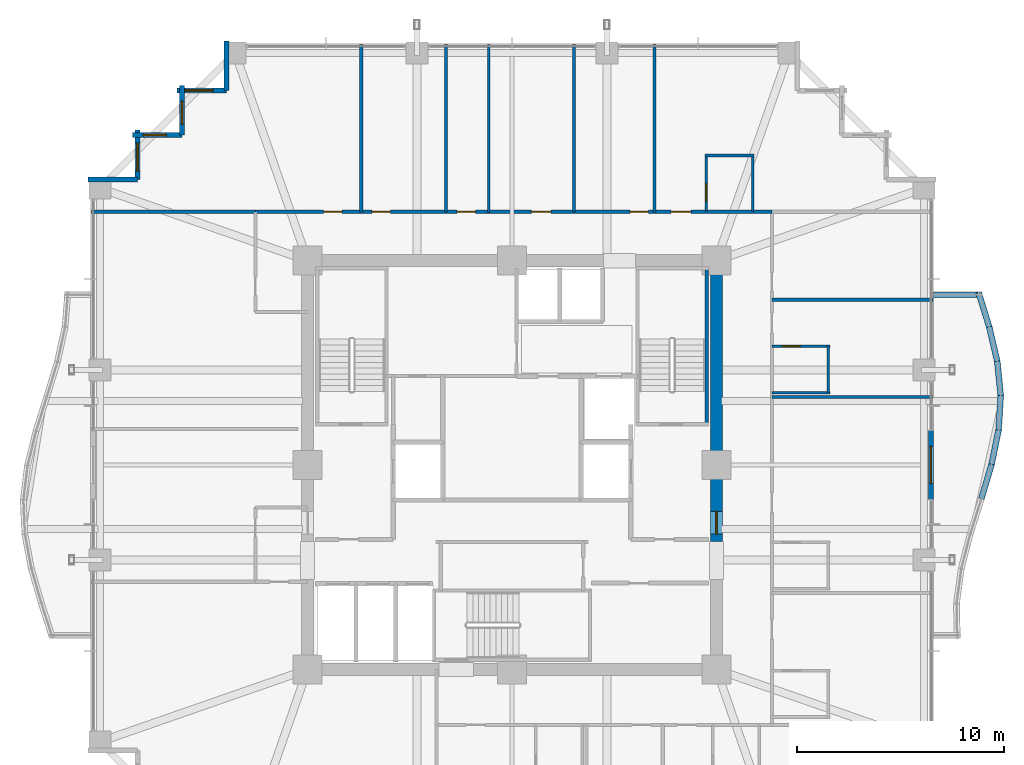
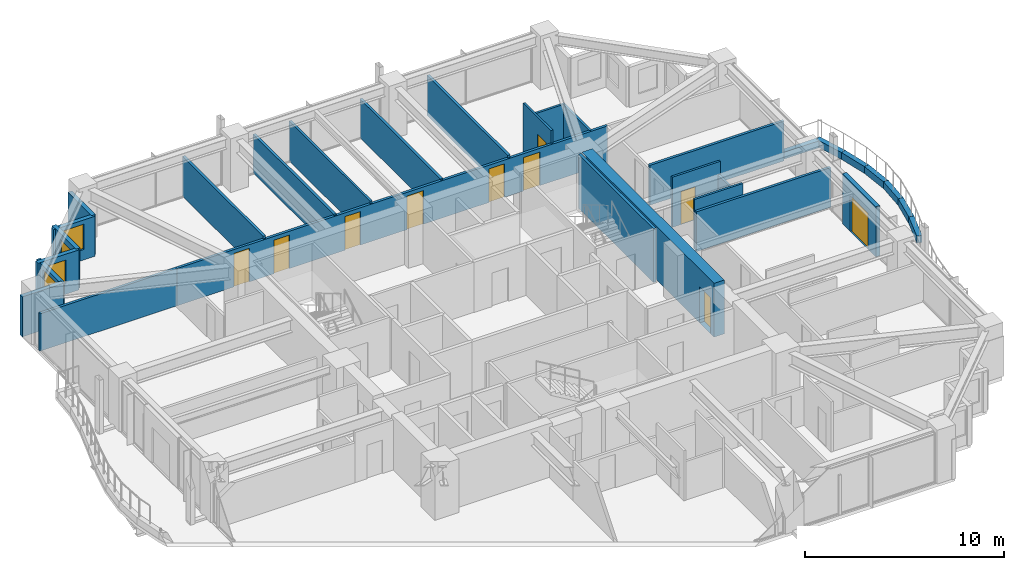
# One storey, part 34 of 37: 31 walls, 10 doors, 4 windows, 14 openings.
"""IFC4 building model written with IfcOpenShell, lengths in metres."""

from ifc_helpers import new_model, si_unit, direction, frame, frame_2d, origin, place, context, subcontext, project, spatial, rectangle, extrude, material, layer, layer_set, type_object, element, fill, save


model = new_model("IFC4")

# Units and contexts
model_context = context("Model", 3, precision=1e-05, world=origin(), true_north=direction((0.0, 1.0)))
body_context = subcontext(model_context, "Body", "Model", "MODEL_VIEW")
ifc_project = project(units=[si_unit("LENGTHUNIT", "METRE"), si_unit("AREAUNIT", "SQUARE_METRE"), si_unit("VOLUMEUNIT", "CUBIC_METRE"), si_unit("PLANEANGLEUNIT", "RADIAN"), si_unit("MASSUNIT", "GRAM", prefix="KILO")], contexts=[model_context])

# Site, building, storey
site_placement = place(None, origin())
site = spatial("IfcSite", under=ifc_project, at=site_placement, CompositionType="ELEMENT")
building_placement = place(site_placement, origin())
building = spatial("IfcBuilding", under=site, at=building_placement, Name="Kolvaren Belvedere", CompositionType="ELEMENT")
storey_placement = place(building_placement, frame((0.0, 0.0, 75.5)))
storey = spatial("IfcBuildingStorey", under=building, at=storey_placement, Name="L21", CompositionType="ELEMENT", Elevation=75.5)

# Wall, opening, door
ifc_material_1 = material(Name="Concrete C60/75", Category="concrete")
ifc_layer_1 = layer(ifc_material_1, 0.60009765625)
ifc_layer_set_1 = layer_set([ifc_layer_1], Name="Concrete C60/75")
wall_type_1 = type_object("IfcWallType", Name="CW-CORE-600", PredefinedType="SHEAR", material=ifc_layer_set_1)
wall_1_placement = place(storey_placement, frame((9.89990234375, -3.699951171875, 0.0), z_axis=(0.0, 0.0, 1.0), x_axis=(0.0, 1.0, 0.0)))
wall_1 = element("IfcWall", 1, at=wall_1_placement, inside=storey, type_object=wall_type_1, Name="L21 East Core Shear Wall 2", PredefinedType="SHEAR", context=body_context, shape_type="SweptSolid", body=[
    extrude(rectangle(XDim=13.300048828125, YDim=0.60009765625, at=frame_2d((6.64990234375, 0.0))), origin(), (0.0, 0.0, 1.0), 3.300048828125),
])
opening_1_placement = place(wall_1_placement, frame((0.35009765625, 0.0, 0.0)))
opening_1 = element("IfcOpeningElement", 2, at=opening_1_placement, cuts=wall_1, Name="Opening D-FD90", PredefinedType="OPENING", context=body_context, shape_type="SweptSolid", body=[
    extrude(rectangle(XDim=1.10009765625, YDim=2.199951171875, at=frame_2d((0.550048828125, 1.10009765625))), frame((0.0, 0.31005859375, 0.0), z_axis=(0.0, -1.0, 0.0), x_axis=(1.0, 0.0, 0.0)), (0.0, 0.0, 1.0), 0.6201171875),
])
ifc_material_2 = material(Name="Painted hollow stainless steel", Category="steel")
door_type_1 = type_object("IfcDoorType", Name="DR-FD90-1100", OperationType="NOTDEFINED", PredefinedType="DOOR", material=ifc_material_2)
door_1_placement = place(opening_1_placement, origin())
door_1 = element("IfcDoor", 3, at=door_1_placement, inside=storey, type_object=door_type_1, Name="L21 East Firefighting Lobby Fire Door", OperationType="SINGLE_SWING_RIGHT", OverallHeight=2.199951171875, OverallWidth=1.10009765625, PredefinedType="DOOR", context=body_context, shape_type="SweptSolid", body=[
    extrude(rectangle(XDim=1.10009765625, YDim=2.199951171875, at=frame_2d((0.550048828125, 1.10009765625))), frame((0.0, 0.02490234375, 0.0), z_axis=(0.0, -1.0, 0.0), x_axis=(1.0, 0.0, 0.0)), (0.0, 0.0, 1.0), 0.050048828125),
])
fill(opening_1, door_1)

# Wall
ifc_material_3 = material(Name="Concrete C50/60", Category="concrete")
ifc_layer_2 = layer(ifc_material_3, 0.159912109375)
ifc_layer_set_2 = layer_set([ifc_layer_2], Name="Concrete C50/60")
wall_type_2 = type_object("IfcWallType", Name="CW-STAIR-160", PredefinedType="SHEAR", material=ifc_layer_set_2)
wall_2_placement = place(storey_placement, frame((9.429931640625, 1.969970703125, 0.0), z_axis=(0.0, 0.0, 1.0), x_axis=(0.0, 1.0, 0.0)))
element("IfcWall", 4, at=wall_2_placement, inside=storey, type_object=wall_type_2, Name="L21 Stair ST-2 East Shear Wall", PredefinedType="SHEAR", context=body_context, shape_type="SweptSolid", body=[
    extrude(rectangle(XDim=7.56005859375, YDim=0.159912109375, at=frame_2d((3.780029296875, 0.0))), origin(), (0.0, 0.0, 1.0), 3.300048828125),
])

# Wall, openings, doors
ifc_material_4 = material(Name="Gypsum fire-rated partition assembly", Category="gypsum")
ifc_layer_3 = layer(ifc_material_4, 0.14990234375)
ifc_layer_set_3 = layer_set([ifc_layer_3], Name="Gypsum fire-rated partition assembly")
wall_type_3 = type_object("IfcWallType", Name="WL-CORR-150", PredefinedType="PARTITIONING", material=ifc_layer_set_3)
wall_3_placement = place(storey_placement, frame((-12.419921875, 12.260009765625, 0.0), z_axis=(0.0, 0.0, 1.0), x_axis=(1.0, 0.0, 0.0)))
wall_3 = element("IfcWall", 5, at=wall_3_placement, inside=storey, type_object=wall_type_3, Name="L21 North Corridor Wall", PredefinedType="PARTITIONING", context=body_context, shape_type="SweptSolid", body=[
    extrude(rectangle(XDim=25.0, YDim=0.14990234375, at=frame_2d((12.5, 0.0))), origin(), (0.0, 0.0, 1.0), 2.2919921875),
])
opening_2_placement = place(wall_3_placement, frame((3.299072265625, 0.0, 0.0)))
opening_2 = element("IfcOpeningElement", 6, at=opening_2_placement, cuts=wall_3, Name="Opening D-INT90", PredefinedType="OPENING", context=body_context, shape_type="SweptSolid", body=[
    extrude(rectangle(XDim=0.89990234375, YDim=2.06005859375, at=frame_2d((0.449951171875, 1.030029296875))), frame((0.0, 0.0849609375, 0.0), z_axis=(0.0, -1.0, 0.0), x_axis=(1.0, 0.0, 0.0)), (0.0, 0.0, 1.0), 0.169921875),
])
opening_3_placement = place(wall_3_placement, frame((5.634033203125, 0.0, 0.0)))
opening_3 = element("IfcOpeningElement", 7, at=opening_3_placement, cuts=wall_3, Name="Opening D-INT90", PredefinedType="OPENING", context=body_context, shape_type="SweptSolid", body=[
    extrude(rectangle(XDim=0.89990234375, YDim=2.06005859375, at=frame_2d((0.449951171875, 1.030029296875))), frame((0.0, 0.0849609375, 0.0), z_axis=(0.0, -1.0, 0.0), x_axis=(1.0, 0.0, 0.0)), (0.0, 0.0, 1.0), 0.169921875),
])
opening_4_placement = place(wall_3_placement, frame((9.75830078125, 0.0, 0.0)))
opening_4 = element("IfcOpeningElement", 8, at=opening_4_placement, cuts=wall_3, Name="Opening D-INT90", PredefinedType="OPENING", context=body_context, shape_type="SweptSolid", body=[
    extrude(rectangle(XDim=0.89990234375, YDim=2.06005859375, at=frame_2d((0.449951171875, 1.030029296875))), frame((0.0, 0.0849609375, 0.0), z_axis=(0.0, -1.0, 0.0), x_axis=(1.0, 0.0, 0.0)), (0.0, 0.0, 1.0), 0.169921875),
])
opening_5_placement = place(wall_3_placement, frame((13.357421875, 0.0, 0.0)))
opening_5 = element("IfcOpeningElement", 9, at=opening_5_placement, cuts=wall_3, Name="Opening D-INT95", PredefinedType="OPENING", context=body_context, shape_type="SweptSolid", body=[
    extrude(rectangle(XDim=0.949951171875, YDim=2.06005859375, at=frame_2d((0.47509765625, 1.030029296875))), frame((0.0, 0.0849609375, 0.0), z_axis=(0.0, -1.0, 0.0), x_axis=(1.0, 0.0, 0.0)), (0.0, 0.0, 1.0), 0.169921875),
])
opening_6_placement = place(wall_3_placement, frame((18.12548828125, 0.0, 0.0)))
opening_6 = element("IfcOpeningElement", 10, at=opening_6_placement, cuts=wall_3, Name="Opening D-INT90", PredefinedType="OPENING", context=body_context, shape_type="SweptSolid", body=[
    extrude(rectangle(XDim=0.89990234375, YDim=2.06005859375, at=frame_2d((0.449951171875, 1.030029296875))), frame((0.0, 0.0849609375, 0.0), z_axis=(0.0, -1.0, 0.0), x_axis=(1.0, 0.0, 0.0)), (0.0, 0.0, 1.0), 0.169921875),
])
opening_7_placement = place(wall_3_placement, frame((20.129150390625, 0.0, 0.0)))
opening_7 = element("IfcOpeningElement", 11, at=opening_7_placement, cuts=wall_3, Name="Opening D-FD60", PredefinedType="OPENING", context=body_context, shape_type="SweptSolid", body=[
    extrude(rectangle(XDim=0.949951171875, YDim=2.06005859375, at=frame_2d((0.47509765625, 1.030029296875))), frame((0.0, 0.0849609375, 0.0), z_axis=(0.0, -1.0, 0.0), x_axis=(1.0, 0.0, 0.0)), (0.0, 0.0, 1.0), 0.169921875),
])
ifc_material_5 = material(Name="Acoustic white-oak fire door leaf", Category="timber")
door_type_2 = type_object("IfcDoorType", Name="DR-FD60-950", OperationType="NOTDEFINED", PredefinedType="DOOR", material=ifc_material_5)
door_2_placement = place(opening_7_placement, origin())
door_2 = element("IfcDoor", 12, at=door_2_placement, inside=storey, type_object=door_type_2, Name="L21 King Guest Room 2104 Entry Door", OperationType="SINGLE_SWING_LEFT", OverallHeight=2.06005859375, OverallWidth=0.949951171875, PredefinedType="DOOR", context=body_context, shape_type="SweptSolid", body=[
    extrude(rectangle(XDim=0.949951171875, YDim=2.06005859375, at=frame_2d((0.47509765625, 1.030029296875))), frame((0.0, 0.02490234375, 0.0), z_axis=(0.0, -1.0, 0.0), x_axis=(1.0, 0.0, 0.0)), (0.0, 0.0, 1.0), 0.050048828125),
])
fill(opening_7, door_2)
ifc_material_6 = material(Name="Stained Pacific white oak", Category="timber")
door_type_3 = type_object("IfcDoorType", Name="DR-INT-900", OperationType="NOTDEFINED", PredefinedType="DOOR", material=ifc_material_6)
door_3_placement = place(opening_2_placement, origin())
door_3 = element("IfcDoor", 13, at=door_3_placement, inside=storey, type_object=door_type_3, Name="L21 Wellness Yoga & Reading Gym 2101 Door", OperationType="SINGLE_SWING_LEFT", OverallHeight=2.06005859375, OverallWidth=0.89990234375, PredefinedType="DOOR", context=body_context, shape_type="SweptSolid", body=[
    extrude(rectangle(XDim=0.89990234375, YDim=2.06005859375, at=frame_2d((0.449951171875, 1.030029296875))), frame((0.0, 0.02490234375, 0.0), z_axis=(0.0, -1.0, 0.0), x_axis=(1.0, 0.0, 0.0)), (0.0, 0.0, 1.0), 0.050048828125),
])
fill(opening_2, door_3)
door_4_placement = place(opening_3_placement, origin())
door_4 = element("IfcDoor", 14, at=door_4_placement, inside=storey, type_object=door_type_3, Name="L21 Guest Tea & Espresso Kitchen 2102 Door", OperationType="SINGLE_SWING_RIGHT", OverallHeight=2.06005859375, OverallWidth=0.89990234375, PredefinedType="DOOR", context=body_context, shape_type="SweptSolid", body=[
    extrude(rectangle(XDim=0.89990234375, YDim=2.06005859375, at=frame_2d((0.449951171875, 1.030029296875))), frame((0.0, 0.02490234375, 0.0), z_axis=(0.0, -1.0, 0.0), x_axis=(1.0, 0.0, 0.0)), (0.0, 0.0, 1.0), 0.050048828125),
])
fill(opening_3, door_4)
door_5_placement = place(opening_4_placement, origin())
door_5 = element("IfcDoor", 15, at=door_5_placement, inside=storey, type_object=door_type_3, Name="L21 Housekeeping Door", OperationType="SINGLE_SWING_LEFT", OverallHeight=2.06005859375, OverallWidth=0.89990234375, PredefinedType="DOOR", context=body_context, shape_type="SweptSolid", body=[
    extrude(rectangle(XDim=0.89990234375, YDim=2.06005859375, at=frame_2d((0.449951171875, 1.030029296875))), frame((0.0, 0.02490234375, 0.0), z_axis=(0.0, -1.0, 0.0), x_axis=(1.0, 0.0, 0.0)), (0.0, 0.0, 1.0), 0.050048828125),
])
fill(opening_4, door_5)
door_6_placement = place(opening_6_placement, origin())
door_6 = element("IfcDoor", 16, at=door_6_placement, inside=storey, type_object=door_type_3, Name="L21 Private Hospitality Meeting Room 2103 Door", OperationType="SINGLE_SWING_LEFT", OverallHeight=2.06005859375, OverallWidth=0.89990234375, PredefinedType="DOOR", context=body_context, shape_type="SweptSolid", body=[
    extrude(rectangle(XDim=0.89990234375, YDim=2.06005859375, at=frame_2d((0.449951171875, 1.030029296875))), frame((0.0, 0.02490234375, 0.0), z_axis=(0.0, -1.0, 0.0), x_axis=(1.0, 0.0, 0.0)), (0.0, 0.0, 1.0), 0.050048828125),
])
fill(opening_6, door_6)
ifc_material_7 = material(Name="Stained Pacific white oak", Category="timber")
door_type_4 = type_object("IfcDoorType", Name="DR-INT-950", OperationType="NOTDEFINED", PredefinedType="DOOR", material=ifc_material_7)
door_7_placement = place(opening_5_placement, origin())
door_7 = element("IfcDoor", 17, at=door_7_placement, inside=storey, type_object=door_type_4, Name="L21 Accessible Washroom Door", OperationType="SINGLE_SWING_RIGHT", OverallHeight=2.06005859375, OverallWidth=0.949951171875, PredefinedType="DOOR", context=body_context, shape_type="SweptSolid", body=[
    extrude(rectangle(XDim=0.949951171875, YDim=2.06005859375, at=frame_2d((0.47509765625, 1.030029296875))), frame((0.0, 0.02490234375, 0.0), z_axis=(0.0, -1.0, 0.0), x_axis=(1.0, 0.0, 0.0)), (0.0, 0.0, 1.0), 0.050048828125),
])
fill(opening_5, door_7)

# Wall, opening, door
ifc_material_8 = material(Name="Insulated pale-metal facade wall assembly", Category="aluminium")
ifc_layer_4 = layer(ifc_material_8, 0.239990234375)
ifc_layer_set_4 = layer_set([ifc_layer_4], Name="Insulated pale-metal facade wall assembly")
wall_type_4 = type_object("IfcWallType", Name="WL-EXT-240", PredefinedType="STANDARD", material=ifc_layer_set_4)
wall_4_placement = place(storey_placement, frame((20.280029296875, 1.679931640625, 0.0), z_axis=(0.0, 0.0, 1.0), x_axis=(0.0, -1.0, 0.0)))
wall_4 = element("IfcWall", 18, at=wall_4_placement, inside=storey, type_object=wall_type_4, Name="L21 East Terrace Portal Wall", PredefinedType="STANDARD", context=body_context, shape_type="SweptSolid", body=[
    extrude(rectangle(XDim=3.35986328125, YDim=0.239990234375, at=frame_2d((1.679931640625, 0.0))), origin(), (0.0, 0.0, 1.0), 3.080078125),
])
opening_8_placement = place(wall_4_placement, frame((0.780029296875, 0.0, 0.0)))
opening_8 = element("IfcOpeningElement", 19, at=opening_8_placement, cuts=wall_4, Name="Opening DB-1800", PredefinedType="OPENING", context=body_context, shape_type="SweptSolid", body=[
    extrude(rectangle(XDim=1.800048828125, YDim=2.199951171875, at=frame_2d((0.89990234375, 1.10009765625))), frame((0.0, 0.1298828125, 0.0), z_axis=(0.0, -1.0, 0.0), x_axis=(1.0, 0.0, 0.0)), (0.0, 0.0, 1.0), 0.260009765625),
])
ifc_material_9 = material(Name="Thermally broken pale-metal aluminium & low-iron glass", Category="aluminium")
door_type_5 = type_object("IfcDoorType", Name="DR-BAL-1800", OperationType="DOUBLE_DOOR_SLIDING", PredefinedType="DOOR", material=ifc_material_9)
door_8_placement = place(opening_8_placement, origin())
door_8 = element("IfcDoor", 20, at=door_8_placement, inside=storey, type_object=door_type_5, Name="L21 East Planted Terrace Sliding Door", OperationType="DOUBLE_DOOR_SLIDING", OverallHeight=2.199951171875, OverallWidth=1.800048828125, PredefinedType="DOOR", context=body_context, shape_type="SweptSolid", body=[
    extrude(rectangle(XDim=1.800048828125, YDim=2.199951171875, at=frame_2d((0.89990234375, 1.10009765625))), frame((0.0, 0.02490234375, 0.0), z_axis=(0.0, -1.0, 0.0), x_axis=(1.0, 0.0, 0.0)), (0.0, 0.0, 1.0), 0.050048828125),
])
fill(opening_8, door_8)

# Wall
wall_5_placement = place(storey_placement, frame((-13.830078125, 18.1298828125, 0.0), z_axis=(0.0, 0.0, 1.0), x_axis=(0.0, 1.0, 0.0)))
element("IfcWall", 21, at=wall_5_placement, inside=storey, type_object=wall_type_4, Name="L21 Serrated Corner Facade Wall 16", PredefinedType="STANDARD", context=body_context, shape_type="SweptSolid", body=[
    extrude(rectangle(XDim=2.39013671875, YDim=0.239990234375, at=frame_2d((1.195068359375, 0.0))), origin(), (0.0, 0.0, 1.0), 2.458984375),
])

# Wall, opening, window
wall_6_placement = place(storey_placement, frame((-16.219970703125, 18.1298828125, 0.0), z_axis=(0.0, 0.0, 1.0), x_axis=(1.0, 0.0, 0.0)))
wall_6 = element("IfcWall", 22, at=wall_6_placement, inside=storey, type_object=wall_type_4, Name="L21 Serrated Corner Facade Wall 17", PredefinedType="STANDARD", context=body_context, shape_type="SweptSolid", body=[
    extrude(rectangle(XDim=2.389892578125, YDim=0.239990234375, at=frame_2d((1.19482421875, 0.0))), origin(), (0.0, 0.0, 1.0), 2.458984375),
])
opening_9_placement = place(wall_6_placement, frame((0.39990234375, 0.0, 0.64990234375)))
opening_9 = element("IfcOpeningElement", 23, at=opening_9_placement, cuts=wall_6, Name="Opening W-1350", PredefinedType="OPENING", context=body_context, shape_type="SweptSolid", body=[
    extrude(rectangle(XDim=1.35009765625, YDim=1.550048828125, at=frame_2d((0.675048828125, 0.77490234375))), frame((0.0, 0.1298828125, 0.0), z_axis=(0.0, -1.0, 0.0), x_axis=(1.0, 0.0, 0.0)), (0.0, 0.0, 1.0), 0.260009765625),
])
ifc_material_10 = material(Name="Low-iron triple insulated glass", Category="glass")
window_type_1 = type_object("IfcWindowType", Name="WN-CORN-1350", PartitioningType="SINGLE_PANEL", PredefinedType="WINDOW", material=ifc_material_10)
window_1_placement = place(opening_9_placement, origin())
window_1 = element("IfcWindow", 24, at=window_1_placement, inside=storey, type_object=window_type_1, Name="L21 Serrated Corner Vision Window 17", OverallHeight=1.550048828125, OverallWidth=1.35009765625, PartitioningType="SINGLE_PANEL", PredefinedType="WINDOW", context=body_context, shape_type="SweptSolid", body=[
    extrude(rectangle(XDim=1.35009765625, YDim=1.550048828125, at=frame_2d((0.675048828125, 0.77490234375))), frame((0.0, 0.030029296875, 0.0), z_axis=(0.0, -1.0, 0.0), x_axis=(1.0, 0.0, 0.0)), (0.0, 0.0, 1.0), 0.06005859375),
])
fill(opening_9, window_1)

wall_7_placement = place(storey_placement, frame((-15.97998046875, 15.97998046875, 0.0), z_axis=(0.0, 0.0, 1.0), x_axis=(0.0, 1.0, 0.0)))
wall_7 = element("IfcWall", 25, at=wall_7_placement, inside=storey, type_object=wall_type_4, Name="L21 Serrated Corner Facade Wall 18", PredefinedType="STANDARD", context=body_context, shape_type="SweptSolid", body=[
    extrude(rectangle(XDim=2.39013671875, YDim=0.239990234375, at=frame_2d((1.195068359375, 0.0))), origin(), (0.0, 0.0, 1.0), 2.458984375),
])
opening_10_placement = place(wall_7_placement, frame((0.52490234375, 0.0, 0.64990234375)))
opening_10 = element("IfcOpeningElement", 26, at=opening_10_placement, cuts=wall_7, Name="Opening W-1100", PredefinedType="OPENING", context=body_context, shape_type="SweptSolid", body=[
    extrude(rectangle(XDim=1.10009765625, YDim=1.449951171875, at=frame_2d((0.550048828125, 0.72509765625))), frame((0.0, 0.1298828125, 0.0), z_axis=(0.0, -1.0, 0.0), x_axis=(1.0, 0.0, 0.0)), (0.0, 0.0, 1.0), 0.260009765625),
])
ifc_material_11 = material(Name="Low-iron triple insulated glass", Category="glass")
window_type_2 = type_object("IfcWindowType", Name="WN-CORN-1100", PartitioningType="SINGLE_PANEL", PredefinedType="WINDOW", material=ifc_material_11)
window_2_placement = place(opening_10_placement, origin())
window_2 = element("IfcWindow", 27, at=window_2_placement, inside=storey, type_object=window_type_2, Name="L21 Serrated Corner Vision Window 18", OverallHeight=1.449951171875, OverallWidth=1.10009765625, PartitioningType="SINGLE_PANEL", PredefinedType="WINDOW", context=body_context, shape_type="SweptSolid", body=[
    extrude(rectangle(XDim=1.10009765625, YDim=1.449951171875, at=frame_2d((0.550048828125, 0.72509765625))), frame((0.0, 0.030029296875, 0.0), z_axis=(0.0, -1.0, 0.0), x_axis=(1.0, 0.0, 0.0)), (0.0, 0.0, 1.0), 0.06005859375),
])
fill(opening_10, window_2)

wall_8_placement = place(storey_placement, frame((-18.3701171875, 15.97998046875, 0.0), z_axis=(0.0, 0.0, 1.0), x_axis=(1.0, 0.0, 0.0)))
wall_8 = element("IfcWall", 28, at=wall_8_placement, inside=storey, type_object=wall_type_4, Name="L21 Serrated Corner Facade Wall 19", PredefinedType="STANDARD", context=body_context, shape_type="SweptSolid", body=[
    extrude(rectangle(XDim=2.39013671875, YDim=0.239990234375, at=frame_2d((1.195068359375, 0.0))), origin(), (0.0, 0.0, 1.0), 2.458984375),
])
opening_11_placement = place(wall_8_placement, frame((0.52490234375, 0.0, 0.64990234375)))
opening_11 = element("IfcOpeningElement", 29, at=opening_11_placement, cuts=wall_8, Name="Opening W-1100", PredefinedType="OPENING", context=body_context, shape_type="SweptSolid", body=[
    extrude(rectangle(XDim=1.10009765625, YDim=1.449951171875, at=frame_2d((0.550048828125, 0.72509765625))), frame((0.0, 0.1298828125, 0.0), z_axis=(0.0, -1.0, 0.0), x_axis=(1.0, 0.0, 0.0)), (0.0, 0.0, 1.0), 0.260009765625),
])
window_3_placement = place(opening_11_placement, origin())
window_3 = element("IfcWindow", 30, at=window_3_placement, inside=storey, type_object=window_type_2, Name="L21 Serrated Corner Vision Window 19", OverallHeight=1.449951171875, OverallWidth=1.10009765625, PartitioningType="SINGLE_PANEL", PredefinedType="WINDOW", context=body_context, shape_type="SweptSolid", body=[
    extrude(rectangle(XDim=1.10009765625, YDim=1.449951171875, at=frame_2d((0.550048828125, 0.72509765625))), frame((0.0, 0.030029296875, 0.0), z_axis=(0.0, -1.0, 0.0), x_axis=(1.0, 0.0, 0.0)), (0.0, 0.0, 1.0), 0.06005859375),
])
fill(opening_11, window_3)

wall_9_placement = place(storey_placement, frame((-18.1298828125, 13.830078125, 0.0), z_axis=(0.0, 0.0, 1.0), x_axis=(0.0, 1.0, 0.0)))
wall_9 = element("IfcWall", 31, at=wall_9_placement, inside=storey, type_object=wall_type_4, Name="L21 Serrated Corner Facade Wall 20", PredefinedType="STANDARD", context=body_context, shape_type="SweptSolid", body=[
    extrude(rectangle(XDim=2.389892578125, YDim=0.239990234375, at=frame_2d((1.19482421875, 0.0))), origin(), (0.0, 0.0, 1.0), 2.458984375),
])
opening_12_placement = place(wall_9_placement, frame((0.39990234375, 0.0, 0.64990234375)))
opening_12 = element("IfcOpeningElement", 32, at=opening_12_placement, cuts=wall_9, Name="Opening W-1350", PredefinedType="OPENING", context=body_context, shape_type="SweptSolid", body=[
    extrude(rectangle(XDim=1.35009765625, YDim=1.550048828125, at=frame_2d((0.675048828125, 0.77490234375))), frame((0.0, 0.1298828125, 0.0), z_axis=(0.0, -1.0, 0.0), x_axis=(1.0, 0.0, 0.0)), (0.0, 0.0, 1.0), 0.260009765625),
])
window_4_placement = place(opening_12_placement, origin())
window_4 = element("IfcWindow", 33, at=window_4_placement, inside=storey, type_object=window_type_1, Name="L21 Serrated Corner Vision Window 20", OverallHeight=1.550048828125, OverallWidth=1.35009765625, PartitioningType="SINGLE_PANEL", PredefinedType="WINDOW", context=body_context, shape_type="SweptSolid", body=[
    extrude(rectangle(XDim=1.35009765625, YDim=1.550048828125, at=frame_2d((0.675048828125, 0.77490234375))), frame((0.0, 0.030029296875, 0.0), z_axis=(0.0, -1.0, 0.0), x_axis=(1.0, 0.0, 0.0)), (0.0, 0.0, 1.0), 0.06005859375),
])
fill(opening_12, window_4)

# Walls
wall_10_placement = place(storey_placement, frame((-20.52001953125, 13.830078125, 0.0), z_axis=(0.0, 0.0, 1.0), x_axis=(1.0, 0.0, 0.0)))
element("IfcWall", 34, at=wall_10_placement, inside=storey, type_object=wall_type_4, Name="L21 Serrated Corner Facade Wall 21", PredefinedType="STANDARD", context=body_context, shape_type="SweptSolid", body=[
    extrude(rectangle(XDim=2.39013671875, YDim=0.239990234375, at=frame_2d((1.195068359375, 0.0))), origin(), (0.0, 0.0, 1.0), 2.458984375),
])
ifc_material_12 = material(Name="Gypsum acoustic partition assembly", Category="gypsum")
ifc_layer_5 = layer(ifc_material_12, 0.14990234375)
ifc_layer_set_5 = layer_set([ifc_layer_5], Name="Gypsum acoustic partition assembly")
wall_type_5 = type_object("IfcWallType", Name="WL-PART-150", PredefinedType="PARTITIONING", material=ifc_layer_set_5)
wall_11_placement = place(storey_placement, frame((-20.3798828125, 12.260009765625, 0.0), z_axis=(0.0, 0.0, 1.0), x_axis=(1.0, 0.0, 0.0)))
element("IfcWall", 35, at=wall_11_placement, inside=storey, type_object=wall_type_5, Name="L21 Wing Divider PW-L21-QNW", PredefinedType="PARTITIONING", context=body_context, shape_type="SweptSolid", body=[
    extrude(rectangle(XDim=7.9599609375, YDim=0.14990234375, at=frame_2d((3.97998046875, 0.0))), origin(), (0.0, 0.0, 1.0), 2.2919921875),
])
wall_12_placement = place(storey_placement, frame((-7.300048828125, 12.260009765625, 0.0), z_axis=(0.0, 0.0, 1.0), x_axis=(0.0, 1.0, 0.0)))
element("IfcWall", 36, at=wall_12_placement, inside=storey, type_object=wall_type_5, Name="L21 North Suite Demising Wall 1", PredefinedType="PARTITIONING", context=body_context, shape_type="SweptSolid", body=[
    extrude(rectangle(XDim=8.119873046875, YDim=0.14990234375, at=frame_2d((4.06005859375, 0.0))), origin(), (0.0, 0.0, 1.0), 2.448974609375),
])
for number, where, z_axis, x_axis, name in (
    (37, (-3.199951171875, 12.260009765625, 0.0), (0.0, 0.0, 1.0), (0.0, 1.0, 0.0), "L21 North Suite Demising Wall 2"),
    (38, (3.0, 12.260009765625, 0.0), (0.0, 0.0, 1.0), (0.0, 1.0, 0.0), "L21 North Suite Demising Wall 3"),
):
    element("IfcWall", number, at=place(storey_placement, frame(where, z_axis=z_axis, x_axis=x_axis)), inside=storey, type_object=wall_type_5, Name=name, PredefinedType="PARTITIONING", context=body_context, shape_type="SweptSolid", body=[
        extrude(rectangle(XDim=8.119873046875, YDim=0.14990234375, at=frame_2d((4.06005859375, 0.0))), origin(), (0.0, 0.0, 1.0), 2.368896484375),
    ])
wall_13_placement = place(storey_placement, frame((6.89990234375, 12.260009765625, 0.0), z_axis=(0.0, 0.0, 1.0), x_axis=(0.0, 1.0, 0.0)))
element("IfcWall", 39, at=wall_13_placement, inside=storey, type_object=wall_type_5, Name="L21 North Suite Demising Wall 4", PredefinedType="PARTITIONING", context=body_context, shape_type="SweptSolid", body=[
    extrude(rectangle(XDim=8.119873046875, YDim=0.14990234375, at=frame_2d((4.06005859375, 0.0))), origin(), (0.0, 0.0, 1.0), 2.448974609375),
])
for number, where, z_axis, x_axis, name in (
    (40, (12.580078125, 3.300048828125, 0.0), (0.0, 0.0, 1.0), (1.0, 0.0, 0.0), "L21 East Suite Demising Wall 2"),
    (41, (12.580078125, 8.0, 0.0), (0.0, 0.0, 1.0), (1.0, 0.0, 0.0), "L21 East Suite Demising Wall 3"),
):
    element("IfcWall", number, at=place(storey_placement, frame(where, z_axis=z_axis, x_axis=x_axis)), inside=storey, type_object=wall_type_5, Name=name, PredefinedType="PARTITIONING", context=body_context, shape_type="SweptSolid", body=[
        extrude(rectangle(XDim=7.7998046875, YDim=0.14990234375, at=frame_2d((3.89990234375, 0.0))), origin(), (0.0, 0.0, 1.0), 2.448974609375),
    ])
ifc_material_13 = material(Name="Precast concrete C40/50", Category="concrete")
ifc_layer_6 = layer(ifc_material_13, 0.300048828125)
ifc_layer_set_6 = layer_set([ifc_layer_6], Name="Precast concrete C40/50")
wall_type_6 = type_object("IfcWallType", Name="WL-PLANTER-300", PredefinedType="PARAPET", material=ifc_layer_set_6)
wall_14_placement = place(storey_placement, frame((22.721923828125, -1.634521484375, -0.0400390625), z_axis=(0.0, 0.0, 1.0), x_axis=(0.284970268083, 0.958536356279, 0.0)))
element("IfcWall", 42, at=wall_14_placement, inside=storey, type_object=wall_type_6, Name="L21 Precast Structural Planter Wall BAL-E-5", PredefinedType="PARAPET", context=body_context, shape_type="SweptSolid", body=[
    extrude(rectangle(XDim=1.7529296875, YDim=0.280029296875, at=frame_2d((0.87646484375, 0.0))), origin(), (0.0, 0.0, 1.0), 0.419921875),
])
wall_15_placement = place(storey_placement, frame((23.218017578125, 0.031982421875, -0.0400390625), z_axis=(0.0, 0.0, 1.0), x_axis=(0.199647526069, 0.979867779516, 0.0)))
element("IfcWall", 43, at=wall_15_placement, inside=storey, type_object=wall_type_6, Name="L21 Precast Structural Planter Wall BAL-E-6", PredefinedType="PARAPET", context=body_context, shape_type="SweptSolid", body=[
    extrude(rectangle(XDim=1.71435546875, YDim=0.280029296875, at=frame_2d((0.857177734375, 0.0))), origin(), (0.0, 0.0, 1.0), 0.419921875),
])
wall_16_placement = place(storey_placement, frame((23.5576171875, 1.689697265625, -0.0400390625), z_axis=(0.0, 0.0, 1.0), x_axis=(0.061059932685, 0.998134101522, 0.0)))
element("IfcWall", 44, at=wall_16_placement, inside=storey, type_object=wall_type_6, Name="L21 Precast Structural Planter Wall BAL-E-7", PredefinedType="PARAPET", context=body_context, shape_type="SweptSolid", body=[
    extrude(rectangle(XDim=1.683349609375, YDim=0.280029296875, at=frame_2d((0.841796875, 0.0))), origin(), (0.0, 0.0, 1.0), 0.419921875),
])
wall_17_placement = place(storey_placement, frame((23.660888671875, 3.343994140625, -0.0400390625), z_axis=(0.0, 0.0, 1.0), x_axis=(-0.099618240186, 0.995025731437, 0.0)))
element("IfcWall", 45, at=wall_17_placement, inside=storey, type_object=wall_type_6, Name="L21 Precast Structural Planter Wall BAL-E-8", PredefinedType="PARAPET", context=body_context, shape_type="SweptSolid", body=[
    extrude(rectangle(XDim=1.6884765625, YDim=0.280029296875, at=frame_2d((0.84423828125, 0.0))), origin(), (0.0, 0.0, 1.0), 0.419921875),
])
wall_18_placement = place(storey_placement, frame((23.49609375, 5.003662109375, -0.0400390625), z_axis=(0.0, 0.0, 1.0), x_axis=(-0.227019323824, 0.973890253884, 0.0)))
element("IfcWall", 46, at=wall_18_placement, inside=storey, type_object=wall_type_6, Name="L21 Precast Structural Planter Wall BAL-E-9", PredefinedType="PARAPET", context=body_context, shape_type="SweptSolid", body=[
    extrude(rectangle(XDim=1.724853515625, YDim=0.280029296875, at=frame_2d((0.8623046875, 0.0))), origin(), (0.0, 0.0, 1.0), 0.419921875),
])
wall_19_placement = place(storey_placement, frame((23.107421875, 6.672607421875, -0.0400390625), z_axis=(0.0, 0.0, 1.0), x_axis=(-0.29579229954, 0.955252278476, 0.0)))
element("IfcWall", 47, at=wall_19_placement, inside=storey, type_object=wall_type_6, Name="L21 Precast Structural Planter Wall BAL-E-10", PredefinedType="PARAPET", context=body_context, shape_type="SweptSolid", body=[
    extrude(rectangle(XDim=1.7587890625, YDim=0.280029296875, at=frame_2d((0.87939453125, 0.0))), origin(), (0.0, 0.0, 1.0), 0.419921875),
])
wall_20_placement = place(storey_placement, frame((22.739990234375, 8.239990234375, -0.0400390625), z_axis=(0.0, 0.0, 1.0), x_axis=(-1.0, 0.0, 0.0)))
element("IfcWall", 48, at=wall_20_placement, inside=storey, type_object=wall_type_6, Name="L21 Precast Structural Planter Wall BAL-E-11", PredefinedType="PARAPET", context=body_context, shape_type="SweptSolid", body=[
    extrude(rectangle(XDim=2.340087890625, YDim=0.280029296875, at=frame_2d((1.169921875, 0.0))), origin(), (0.0, 0.0, 1.0), 0.419921875),
])
ifc_material_14 = material(Name="Moisture-resistant gypsum partition", Category="gypsum")
ifc_layer_7 = layer(ifc_material_14, 0.125)
ifc_layer_set_7 = layer_set([ifc_layer_7], Name="Moisture-resistant gypsum partition")
wall_type_7 = type_object("IfcWallType", Name="WL-WET-125", PredefinedType="PARTITIONING", material=ifc_layer_set_7)
wall_21_placement = place(storey_placement, frame((-1.117919921875, 12.235107421875, 0.0), z_axis=(0.0, 0.0, 1.0), x_axis=(0.0, 1.0, 0.0)))
element("IfcWall", 49, at=wall_21_placement, inside=storey, type_object=wall_type_7, Name="L21 Housekeeping Washroom Divider", PredefinedType="PARTITIONING", context=body_context, shape_type="SweptSolid", body=[
    extrude(rectangle(XDim=8.144775390625, YDim=0.125, at=frame_2d((4.072265625, 0.0))), origin(), (0.0, 0.0, 1.0), 2.448974609375),
])

# Wall, opening, door
wall_22_placement = place(storey_placement, frame((9.406982421875, 12.27490234375, 0.0), z_axis=(0.0, 0.0, 1.0), x_axis=(0.0, 1.0, 0.0)))
wall_22 = element("IfcWall", 50, at=wall_22_placement, inside=storey, type_object=wall_type_7, Name="L21 Bathroom Partition PW-L21-BTH-4-E", PredefinedType="PARTITIONING", context=body_context, shape_type="SweptSolid", body=[
    extrude(rectangle(XDim=2.7900390625, YDim=0.125, at=frame_2d((1.39501953125, 0.0))), origin(), (0.0, 0.0, 1.0), 3.080078125),
])
opening_13_placement = place(wall_22_placement, frame((0.5, 0.0, 0.0)))
opening_13 = element("IfcOpeningElement", 51, at=opening_13_placement, cuts=wall_22, Name="Opening D-BTH85", PredefinedType="OPENING", context=body_context, shape_type="SweptSolid", body=[
    extrude(rectangle(XDim=0.85009765625, YDim=2.030029296875, at=frame_2d((0.425048828125, 1.01513671875))), frame((0.0, 0.072509765625, 0.0), z_axis=(0.0, -1.0, 0.0), x_axis=(1.0, 0.0, 0.0)), (0.0, 0.0, 1.0), 0.14501953125),
])
ifc_material_15 = material(Name="Moisture-sealed Pacific white oak", Category="timber")
door_type_6 = type_object("IfcDoorType", Name="DR-BATH-850", OperationType="NOTDEFINED", PredefinedType="DOOR", material=ifc_material_15)
door_9_placement = place(opening_13_placement, origin())
door_9 = element("IfcDoor", 52, at=door_9_placement, inside=storey, type_object=door_type_6, Name="L21 En-Suite Bathroom 2104 Door", OperationType="SINGLE_SWING_RIGHT", OverallHeight=2.030029296875, OverallWidth=0.85009765625, PredefinedType="DOOR", context=body_context, shape_type="SweptSolid", body=[
    extrude(rectangle(XDim=0.85009765625, YDim=2.030029296875, at=frame_2d((0.425048828125, 1.01513671875))), frame((0.0, 0.02490234375, 0.0), z_axis=(0.0, -1.0, 0.0), x_axis=(1.0, 0.0, 0.0)), (0.0, 0.0, 1.0), 0.050048828125),
])
fill(opening_13, door_9)

# Walls
wall_23_placement = place(storey_placement, frame((9.346923828125, 14.985107421875, 0.0), z_axis=(0.0, 0.0, 1.0), x_axis=(1.0, 0.0, 0.0)))
element("IfcWall", 53, at=wall_23_placement, inside=storey, type_object=wall_type_7, Name="L21 Bathroom Partition PW-L21-BTH-4-H", PredefinedType="PARTITIONING", context=body_context, shape_type="SweptSolid", body=[
    extrude(rectangle(XDim=2.3701171875, YDim=0.125, at=frame_2d((1.18505859375, 0.0))), origin(), (0.0, 0.0, 1.0), 2.2919921875),
])
wall_24_placement = place(storey_placement, frame((11.656982421875, 12.27490234375, 0.0), z_axis=(0.0, 0.0, 1.0), x_axis=(0.0, 1.0, 0.0)))
element("IfcWall", 54, at=wall_24_placement, inside=storey, type_object=wall_type_7, Name="L21 Bathroom Partition PW-L21-BTH-4-W", PredefinedType="PARTITIONING", context=body_context, shape_type="SweptSolid", body=[
    extrude(rectangle(XDim=2.7900390625, YDim=0.125, at=frame_2d((1.39501953125, 0.0))), origin(), (0.0, 0.0, 1.0), 2.2919921875),
])

# Wall, opening, door
wall_25_placement = place(storey_placement, frame((12.594970703125, 5.7451171875, 0.0), z_axis=(0.0, 0.0, 1.0), x_axis=(1.0, 0.0, 0.0)))
wall_25 = element("IfcWall", 55, at=wall_25_placement, inside=storey, type_object=wall_type_7, Name="L21 Bathroom Partition PW-L21-BTH-7-N", PredefinedType="PARTITIONING", context=body_context, shape_type="SweptSolid", body=[
    extrude(rectangle(XDim=2.7900390625, YDim=0.125, at=frame_2d((1.39501953125, 0.0))), origin(), (0.0, 0.0, 1.0), 3.080078125),
])
opening_14_placement = place(wall_25_placement, frame((0.5, 0.0, 0.0)))
opening_14 = element("IfcOpeningElement", 56, at=opening_14_placement, cuts=wall_25, Name="Opening D-BTH85", PredefinedType="OPENING", context=body_context, shape_type="SweptSolid", body=[
    extrude(rectangle(XDim=0.85009765625, YDim=2.030029296875, at=frame_2d((0.425048828125, 1.01513671875))), frame((0.0, 0.072509765625, 0.0), z_axis=(0.0, -1.0, 0.0), x_axis=(1.0, 0.0, 0.0)), (0.0, 0.0, 1.0), 0.14501953125),
])
door_10_placement = place(opening_14_placement, origin())
door_10 = element("IfcDoor", 57, at=door_10_placement, inside=storey, type_object=door_type_6, Name="L21 En-Suite Bathroom 2107 Door", OperationType="SINGLE_SWING_RIGHT", OverallHeight=2.030029296875, OverallWidth=0.85009765625, PredefinedType="DOOR", context=body_context, shape_type="SweptSolid", body=[
    extrude(rectangle(XDim=0.85009765625, YDim=2.030029296875, at=frame_2d((0.425048828125, 1.01513671875))), frame((0.0, 0.02490234375, 0.0), z_axis=(0.0, -1.0, 0.0), x_axis=(1.0, 0.0, 0.0)), (0.0, 0.0, 1.0), 0.050048828125),
])
fill(opening_14, door_10)

# Walls
wall_26_placement = place(storey_placement, frame((15.304931640625, 3.43505859375, 0.0), z_axis=(0.0, 0.0, 1.0), x_axis=(0.0, 1.0, 0.0)))
element("IfcWall", 58, at=wall_26_placement, inside=storey, type_object=wall_type_7, Name="L21 Bathroom Partition PW-L21-BTH-7-V", PredefinedType="PARTITIONING", context=body_context, shape_type="SweptSolid", body=[
    extrude(rectangle(XDim=2.369873046875, YDim=0.125, at=frame_2d((1.18505859375, 0.0))), origin(), (0.0, 0.0, 1.0), 2.2919921875),
])
wall_27_placement = place(storey_placement, frame((12.594970703125, 3.4951171875, 0.0), z_axis=(0.0, 0.0, 1.0), x_axis=(1.0, 0.0, 0.0)))
element("IfcWall", 59, at=wall_27_placement, inside=storey, type_object=wall_type_7, Name="L21 Bathroom Partition PW-L21-BTH-7-S", PredefinedType="PARTITIONING", context=body_context, shape_type="SweptSolid", body=[
    extrude(rectangle(XDim=2.7900390625, YDim=0.125, at=frame_2d((1.39501953125, 0.0))), origin(), (0.0, 0.0, 1.0), 3.080078125),
])

save(model, "model.ifc")
